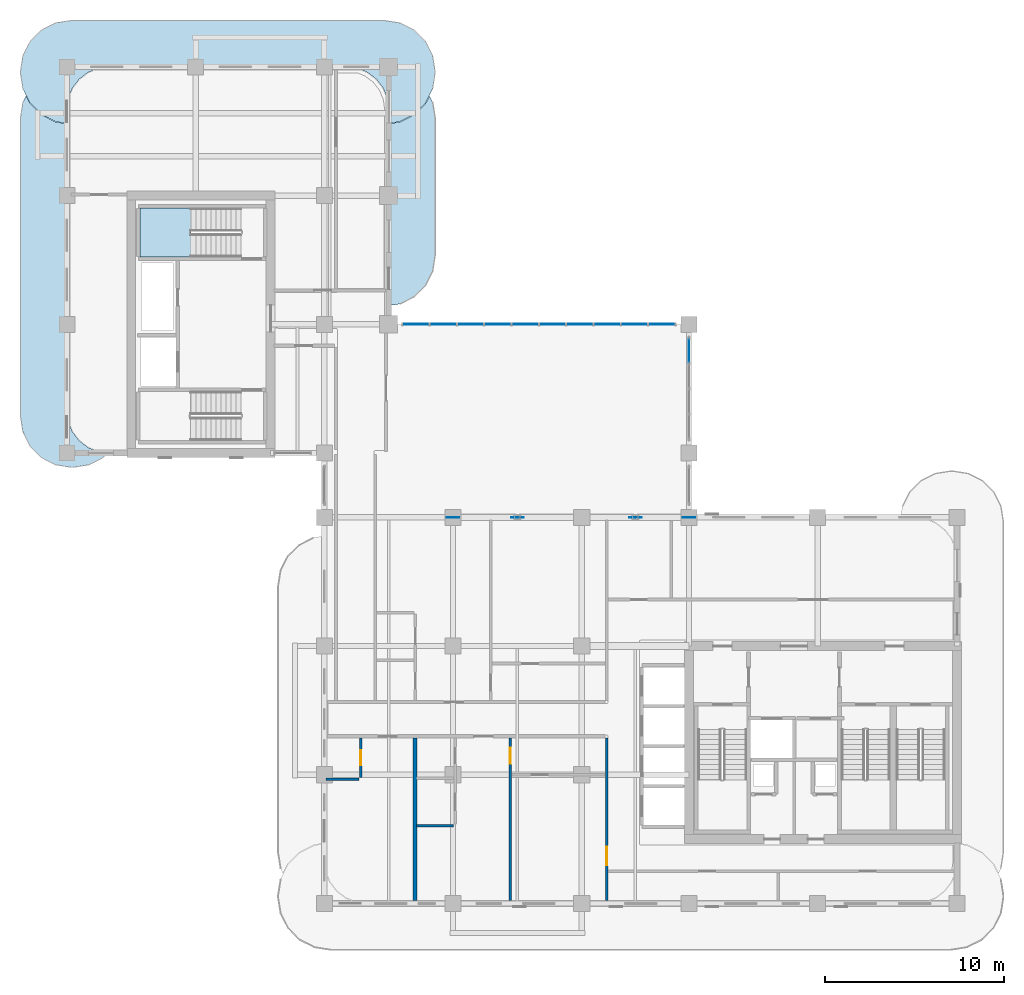
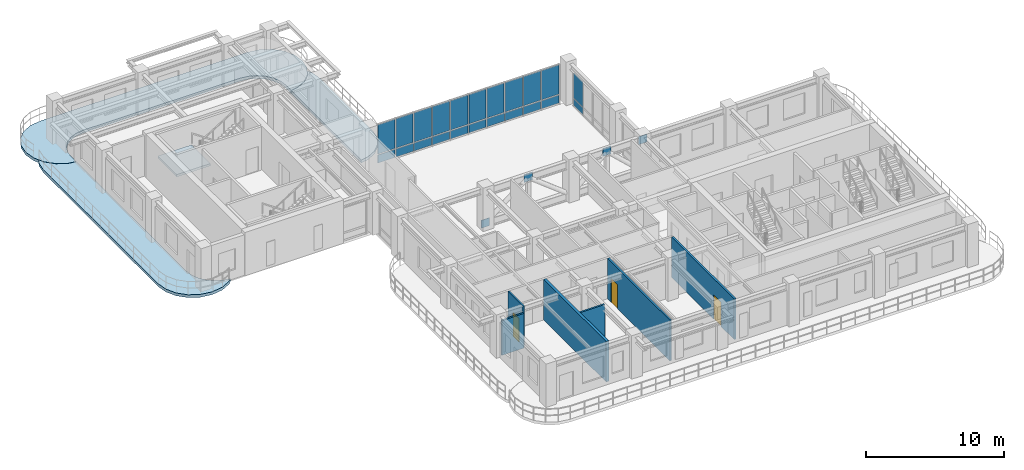
# One storey, part 9 of 19: 26 plates, 6 walls, 4 slabs, 3 doors, 3 openings, 3 elements without a shape of their own.
"""IFC4 building model written with IfcOpenShell, lengths in metres."""

from ifc_helpers import new_model, si_unit, derived_unit, direction, frame, frame_2d, origin, origin_2d, place, context, subcontext, project, spatial, polyline, rectangle, outline, extrude, source, transform, mapped, material, layer, layer_set, type_object, type_shapes, element, fill, aggregate, save


model = new_model("IFC4")

# Units and contexts
model_context = context("Model", 3, precision=1e-05, world=origin(), true_north=direction((0.0, 1.0)))
body_context = subcontext(model_context, "Body", "Model", "MODEL_VIEW")
ifc_project = project(units=[si_unit("LENGTHUNIT", "METRE"), si_unit("AREAUNIT", "SQUARE_METRE"), si_unit("VOLUMEUNIT", "CUBIC_METRE"), si_unit("PLANEANGLEUNIT", "RADIAN"), si_unit("MASSUNIT", "GRAM", prefix="KILO"), si_unit("THERMODYNAMICTEMPERATUREUNIT", "KELVIN"), si_unit("POWERUNIT", "WATT"), derived_unit("THERMALTRANSMITTANCEUNIT", [(si_unit("POWERUNIT", "WATT"), 1), (si_unit("AREAUNIT", "SQUARE_METRE"), -1), (si_unit("THERMODYNAMICTEMPERATUREUNIT", "KELVIN"), -1)])], contexts=[model_context])

# Site, building, storey
site_placement = place(None, origin())
site = spatial("IfcSite", under=ifc_project, at=site_placement, CompositionType="ELEMENT")
building_placement = place(site_placement, origin())
building = spatial("IfcBuilding", under=site, at=building_placement, Name="Zahravan Archway Hotel and Residences", CompositionType="ELEMENT")
storey_placement = place(building_placement, frame((0.0, 0.0, 201.89990234375)))
storey = spatial("IfcBuildingStorey", under=building, at=storey_placement, Name="L50", CompositionType="ELEMENT", Elevation=201.89990234375)

# Slabs
ifc_material_1 = material(Name="Concrete C45/55", Category="concrete")
ifc_layer_1 = layer(ifc_material_1, 0.25, Name="Concrete C45/55", Category="concrete")
ifc_layer_set_1 = layer_set([ifc_layer_1], Name="Concrete C45/55")
slab_type_1 = type_object("IfcSlabType", Name="SLB-BALC-250", PredefinedType="FLOOR", material=ifc_layer_set_1)
slab_1_placement = place(storey_placement, frame((0.0, 0.0, -0.25)))
element("IfcSlab", 1, at=slab_1_placement, inside=storey, type_object=slab_type_1, Name="L50 Wing B North Rounded Balcony Band", PredefinedType="FLOOR", context=body_context, shape_type="SweptSolid", body=[
    extrude(outline(polyline([(-0.630615234375, 43.739501953125), (-1.42529296875, 44.144287109375), (-2.0556640625, 44.77490234375), (-2.46044921875, 45.5693359375), (-2.60009765625, 46.449951171875), (-2.60009765625, 46.550048828125), (-2.46044921875, 47.4306640625), (-2.0556640625, 48.22509765625), (-1.42529296875, 48.855712890625), (-0.630615234375, 49.260498046875), (0.25, 49.39990234375), (17.75, 49.39990234375), (18.630615234375, 49.260498046875), (19.42529296875, 48.855712890625), (20.0556640625, 48.22509765625), (20.46044921875, 47.4306640625), (20.60009765625, 46.550048828125), (20.60009765625, 46.449951171875), (20.46044921875, 45.5693359375), (20.0556640625, 44.77490234375), (19.42529296875, 44.144287109375), (18.630615234375, 43.739501953125), (18.02001953125, 43.642822265625), (18.02001953125, 44.39990234375), (18.019775390625, 44.402587890625), (17.93798828125, 45.023681640625), (17.937744140625, 45.025390625), (17.937255859375, 45.027099609375), (17.936767578125, 45.02880859375), (17.697021484375, 45.607666015625), (17.6962890625, 45.609130859375), (17.6953125, 45.610595703125), (17.6943359375, 45.6123046875), (17.31298828125, 46.109375), (17.311767578125, 46.110595703125), (17.310546875, 46.11181640625), (17.309326171875, 46.113037109375), (16.812255859375, 46.494384765625), (16.810791015625, 46.495361328125), (16.80908203125, 46.49609375), (16.8076171875, 46.4970703125), (16.22900390625, 46.73681640625), (16.227294921875, 46.7373046875), (16.2255859375, 46.73779296875), (16.223876953125, 46.738037109375), (15.6025390625, 46.81982421875), (15.60009765625, 46.820068359375), (2.39990234375, 46.820068359375), (2.3974609375, 46.81982421875), (1.776123046875, 46.738037109375), (1.7744140625, 46.73779296875), (1.772705078125, 46.7373046875), (1.77099609375, 46.73681640625), (1.1923828125, 46.4970703125), (1.19091796875, 46.49609375), (1.189208984375, 46.495361328125), (1.187744140625, 46.494384765625), (0.690673828125, 46.113037109375), (0.689453125, 46.11181640625), (0.688232421875, 46.110595703125), (0.68701171875, 46.109375), (0.3056640625, 45.6123046875), (0.3046875, 45.610595703125), (0.3037109375, 45.609130859375), (0.302978515625, 45.607666015625), (0.063232421875, 45.02880859375), (0.062744140625, 45.027099609375), (0.062255859375, 45.025390625), (0.06201171875, 45.023681640625), (-0.019775390625, 44.402587890625), (-0.02001953125, 44.39990234375), (-0.02001953125, 43.642822265625), (-0.630615234375, 43.739501953125)])), origin(), (0.0, 0.0, 1.0), 0.25),
])
slab_2_placement = place(storey_placement, frame((0.0, 0.0, -0.25)))
element("IfcSlab", 2, at=slab_2_placement, inside=storey, type_object=slab_type_1, Name="L50 Wing B West Rounded Balcony Band", PredefinedType="FLOOR", context=body_context, shape_type="SweptSolid", body=[
    extrude(outline(polyline([(2.025146484375, 24.9443359375), (1.230712890625, 24.53955078125), (0.35009765625, 24.39990234375), (0.25, 24.39990234375), (-0.630615234375, 24.53955078125), (-1.42529296875, 24.9443359375), (-2.0556640625, 25.57470703125), (-2.46044921875, 26.369384765625), (-2.60009765625, 27.25), (-2.60009765625, 43.949951171875), (-2.46044921875, 44.830810546875), (-2.28369140625, 45.177978515625), (-2.073486328125, 44.765625), (-2.072509765625, 44.763916015625), (-2.0712890625, 44.76220703125), (-2.06982421875, 44.7607421875), (-1.439208984375, 44.130126953125), (-1.437744140625, 44.12890625), (-1.43603515625, 44.12744140625), (-1.434326171875, 44.12646484375), (-0.639892578125, 43.7216796875), (-0.637939453125, 43.720703125), (-0.635986328125, 43.72021484375), (-0.6337890625, 43.7197265625), (-0.023193359375, 43.623046875), (-0.021240234375, 43.622802734375), (-0.02001953125, 43.622802734375), (-0.02001953125, 27.60009765625), (-0.019775390625, 27.597412109375), (0.06201171875, 26.976318359375), (0.062255859375, 26.974609375), (0.062744140625, 26.972900390625), (0.063232421875, 26.97119140625), (0.302978515625, 26.392333984375), (0.3037109375, 26.390869140625), (0.3046875, 26.389404296875), (0.3056640625, 26.3876953125), (0.68701171875, 25.890625), (0.688232421875, 25.889404296875), (0.689453125, 25.88818359375), (0.690673828125, 25.886962890625), (1.187744140625, 25.505615234375), (1.189208984375, 25.504638671875), (1.19091796875, 25.50390625), (1.1923828125, 25.5029296875), (1.77099609375, 25.26318359375), (1.772705078125, 25.2626953125), (1.7744140625, 25.26220703125), (1.776123046875, 25.261962890625), (2.27685546875, 25.196044921875), (2.025146484375, 24.9443359375)])), origin(), (0.0, 0.0, 1.0), 0.25),
])
slab_3_placement = place(storey_placement, frame((0.0, 0.0, -0.25)))
element("IfcSlab", 3, at=slab_3_placement, inside=storey, type_object=slab_type_1, Name="L50 Wing B East Rounded Balcony Band", PredefinedType="FLOOR", context=body_context, shape_type="SweptSolid", body=[
    extrude(outline(polyline([(20.46044921875, 44.830810546875), (20.60009765625, 43.949951171875), (20.60009765625, 36.25), (20.46044921875, 35.369384765625), (20.0556640625, 34.57470703125), (19.42529296875, 33.9443359375), (18.630615234375, 33.53955078125), (18.02001953125, 33.44287109375), (18.02001953125, 43.622802734375), (18.021240234375, 43.622802734375), (18.023193359375, 43.623046875), (18.6337890625, 43.7197265625), (18.635986328125, 43.72021484375), (18.637939453125, 43.720703125), (18.639892578125, 43.7216796875), (19.434326171875, 44.12646484375), (19.43603515625, 44.12744140625), (19.437744140625, 44.12890625), (19.439208984375, 44.130126953125), (20.06982421875, 44.7607421875), (20.0712890625, 44.76220703125), (20.072509765625, 44.763916015625), (20.073486328125, 44.765625), (20.28369140625, 45.177978515625), (20.46044921875, 44.830810546875)])), origin(), (0.0, 0.0, 1.0), 0.25),
])

# Stair, slab
ifc_material_2 = material(Name="Concrete C50/60", Category="concrete")
stair_type = type_object("IfcStairType", Name="STR-CORE-1300", PredefinedType="HALF_TURN_STAIR", material=ifc_material_2)
stair_placement = place(storey_placement, origin())
stair = element("IfcStair", 4, at=stair_placement, inside=storey, type_object=stair_type, Name="L50 Core B Exit Stair 2", PredefinedType="HALF_TURN_STAIR")
ifc_layer_2 = layer(ifc_material_2, 0.199951171875, Name="Concrete C50/60", Category="concrete")
ifc_layer_set_2 = layer_set([ifc_layer_2], Name="Concrete C50/60")
slab_type_2 = type_object("IfcSlabType", Name="SLB-LND-200", PredefinedType="LANDING", material=ifc_layer_set_2)
slab_4_placement = place(storey_placement, frame((0.0, 0.0, 1.72509765625)))
slab_4 = element("IfcSlab", 5, at=slab_4_placement, type_object=slab_type_2, Name="ST-B2 landing 1", PredefinedType="LANDING", context=body_context, shape_type="SweptSolid", body=[
    extrude(outline(polyline([(6.929931640625, 38.89990234375), (4.10009765625, 38.89990234375), (4.10009765625, 36.159912109375), (6.929931640625, 36.159912109375), (6.929931640625, 38.89990234375)])), origin(), (0.0, 0.0, 1.0), 0.199951171875),
])
aggregate(stair, [slab_4])

# Plates
ifc_material_3 = material(Name="Structural Steel S355J2", Category="steel")
ifc_layer_3 = layer(ifc_material_3, 0.030029296875, Name="Structural Steel S355J2", Category="steel")
ifc_layer_set_3 = layer_set([ifc_layer_3], Name="Structural Steel S355J2")
plate_type_1 = type_object("IfcPlateType", Name="PLT-GUS-BTN1", PredefinedType="USERDEFINED", material=ifc_layer_set_3)
shared_shape_1 = source(origin(), body_context, "Body", "SweptSolid", [
    extrude(rectangle(XDim=0.699951171875, YDim=0.030029296875, at=origin_2d()), origin(), (0.0, 0.0, 1.0), 0.699951171875),
])
type_shapes(plate_type_1, [shared_shape_1])
for number, where, z_axis, x_axis, name in (
    (6, (21.60009765625, 21.60009765625, 0.0), (0.0, 0.0, 1.0), (1.0, 0.0, 0.0), "L50 Sky-Bridge End Gusset Plate BTN1-W"),
    (7, (34.800048828125, 21.60009765625, 2.80029296875), (0.0, 0.0, 1.0), (1.0, 0.0, 0.0), "L50 Sky-Bridge End Gusset Plate BTN1-E"),
    (8, (25.199951171875, 21.60009765625, 2.80029296875), (0.0, 0.0, 1.0), (1.0, 0.0, 0.0), "L50 Sky-Bridge Gusset Plate BTN1-1"),
    (9, (31.800048828125, 21.60009765625, 2.80029296875), (0.0, 0.0, 1.0), (1.0, 0.0, 0.0), "L50 Sky-Bridge Gusset Plate BTN1-3"),
):
    element("IfcPlate", number, at=place(storey_placement, frame(where, z_axis=z_axis, x_axis=x_axis)), inside=storey, type_object=plate_type_1, Name=name, ObjectType="GUSSET", PredefinedType="USERDEFINED", context=body_context, shape_type="MappedRepresentation", body=[
        mapped(shared_shape_1, transform((0.0, 0.0, 0.0), scale=1.0)),
    ])

# Curtain wall, plates
ifc_material_4 = material(Name="Bronze-Anodized Unitised Aluminium & Low-E Glass", Category="aluminium")
ifc_layer_4 = layer(ifc_material_4, 0.179931640625, Name="Bronze-Anodized Unitised Aluminium & Low-E Glass", Category="aluminium")
ifc_layer_set_4 = layer_set([ifc_layer_4], Name="Bronze-Anodized Unitised Aluminium & Low-E Glass")
curtain_wall_type = type_object("IfcCurtainWallType", Name="CW-SBG-2", PredefinedType="NOTDEFINED", material=ifc_layer_set_4)
curtain_wall_1_placement = place(storey_placement, origin())
curtain_wall_1 = element("IfcCurtainWall", 10, at=curtain_wall_1_placement, inside=storey, type_object=curtain_wall_type, Name="L50 Curtain Wall CW-L50-HNG-N-1", PredefinedType="NOTDEFINED")
ifc_material_5 = material(Name="Insulated Terracotta Spandrel Panel", Category="masonry")
ifc_layer_5 = layer(ifc_material_5, 0.0400390625, Name="Insulated Terracotta Spandrel Panel", Category="masonry")
ifc_layer_set_5 = layer_set([ifc_layer_5], Name="Insulated Terracotta Spandrel Panel")
plate_type_2 = type_object("IfcPlateType", Name="CWP-SPN-40", PredefinedType="SHEET", material=ifc_layer_set_5)
shared_shape_2 = source(origin(), body_context, "Body", "SweptSolid", [
    extrude(rectangle(XDim=1.447998046875, YDim=0.0400390625, at=origin_2d()), origin(), (0.0, 0.0, 1.0), 0.7099609375),
])
plate_1_placement = place(storey_placement, frame((19.52392578125, 32.39990234375, 0.10009765625), z_axis=(0.0, 0.0, 1.0), x_axis=(1.0, 0.0, 0.0)))
plate_1 = element("IfcPlate", 11, at=plate_1_placement, type_object=plate_type_2, Name="CW-L50-HNG-N-1 Spandrel Panel 0", PredefinedType="SHEET", context=body_context, shape_type="MappedRepresentation", body=[
    mapped(shared_shape_2, transform((0.0, 0.0, 0.0), scale=1.0)),
])
plate_2_placement = place(storey_placement, frame((21.052001953125, 32.39990234375, 0.10009765625), z_axis=(0.0, 0.0, 1.0), x_axis=(1.0, 0.0, 0.0)))
plate_2 = element("IfcPlate", 12, at=plate_2_placement, type_object=plate_type_2, Name="CW-L50-HNG-N-1 Spandrel Panel 1", PredefinedType="SHEET", context=body_context, shape_type="MappedRepresentation", body=[
    mapped(shared_shape_2, transform((0.0, 0.0, 0.0), scale=1.0)),
])
plate_3_placement = place(storey_placement, frame((22.580078125, 32.39990234375, 0.10009765625), z_axis=(0.0, 0.0, 1.0), x_axis=(1.0, 0.0, 0.0)))
plate_3 = element("IfcPlate", 13, at=plate_3_placement, type_object=plate_type_2, Name="CW-L50-HNG-N-1 Spandrel Panel 2", PredefinedType="SHEET", context=body_context, shape_type="MappedRepresentation", body=[
    mapped(shared_shape_2, transform((0.0, 0.0, 0.0), scale=1.0)),
])
plate_4_placement = place(storey_placement, frame((24.10791015625, 32.39990234375, 0.10009765625), z_axis=(0.0, 0.0, 1.0), x_axis=(1.0, 0.0, 0.0)))
plate_4 = element("IfcPlate", 14, at=plate_4_placement, type_object=plate_type_2, Name="CW-L50-HNG-N-1 Spandrel Panel 3", PredefinedType="SHEET", context=body_context, shape_type="MappedRepresentation", body=[
    mapped(shared_shape_2, transform((0.0, 0.0, 0.0), scale=1.0)),
])
plate_5_placement = place(storey_placement, frame((25.635986328125, 32.39990234375, 0.10009765625), z_axis=(0.0, 0.0, 1.0), x_axis=(1.0, 0.0, 0.0)))
plate_5 = element("IfcPlate", 15, at=plate_5_placement, type_object=plate_type_2, Name="CW-L50-HNG-N-1 Spandrel Panel 4", PredefinedType="SHEET", context=body_context, shape_type="MappedRepresentation", body=[
    mapped(shared_shape_2, transform((0.0, 0.0, 0.0), scale=1.0)),
])
plate_6_placement = place(storey_placement, frame((27.1640625, 32.39990234375, 0.10009765625), z_axis=(0.0, 0.0, 1.0), x_axis=(1.0, 0.0, 0.0)))
plate_6 = element("IfcPlate", 16, at=plate_6_placement, type_object=plate_type_2, Name="CW-L50-HNG-N-1 Spandrel Panel 5", PredefinedType="SHEET", context=body_context, shape_type="MappedRepresentation", body=[
    mapped(shared_shape_2, transform((0.0, 0.0, 0.0), scale=1.0)),
])
plate_7_placement = place(storey_placement, frame((28.69189453125, 32.39990234375, 0.10009765625), z_axis=(0.0, 0.0, 1.0), x_axis=(1.0, 0.0, 0.0)))
plate_7 = element("IfcPlate", 17, at=plate_7_placement, type_object=plate_type_2, Name="CW-L50-HNG-N-1 Spandrel Panel 6", PredefinedType="SHEET", context=body_context, shape_type="MappedRepresentation", body=[
    mapped(shared_shape_2, transform((0.0, 0.0, 0.0), scale=1.0)),
])
plate_8_placement = place(storey_placement, frame((30.219970703125, 32.39990234375, 0.10009765625), z_axis=(0.0, 0.0, 1.0), x_axis=(1.0, 0.0, 0.0)))
plate_8 = element("IfcPlate", 18, at=plate_8_placement, type_object=plate_type_2, Name="CW-L50-HNG-N-1 Spandrel Panel 7", PredefinedType="SHEET", context=body_context, shape_type="MappedRepresentation", body=[
    mapped(shared_shape_2, transform((0.0, 0.0, 0.0), scale=1.0)),
])
plate_9_placement = place(storey_placement, frame((31.748046875, 32.39990234375, 0.10009765625), z_axis=(0.0, 0.0, 1.0), x_axis=(1.0, 0.0, 0.0)))
plate_9 = element("IfcPlate", 19, at=plate_9_placement, type_object=plate_type_2, Name="CW-L50-HNG-N-1 Spandrel Panel 8", PredefinedType="SHEET", context=body_context, shape_type="MappedRepresentation", body=[
    mapped(shared_shape_2, transform((0.0, 0.0, 0.0), scale=1.0)),
])
plate_10_placement = place(storey_placement, frame((33.27587890625, 32.39990234375, 0.10009765625), z_axis=(0.0, 0.0, 1.0), x_axis=(1.0, 0.0, 0.0)))
plate_10 = element("IfcPlate", 20, at=plate_10_placement, type_object=plate_type_2, Name="CW-L50-HNG-N-1 Spandrel Panel 9", PredefinedType="SHEET", context=body_context, shape_type="MappedRepresentation", body=[
    mapped(shared_shape_2, transform((0.0, 0.0, 0.0), scale=1.0)),
])

curtain_wall_2_placement = place(storey_placement, origin())
curtain_wall_2 = element("IfcCurtainWall", 21, at=curtain_wall_2_placement, inside=storey, type_object=curtain_wall_type, Name="L50 Curtain Wall CW-L50-HNG-E-2", PredefinedType="NOTDEFINED")
shared_shape_3 = source(origin(), body_context, "Body", "SweptSolid", [
    extrude(rectangle(XDim=1.340087890625, YDim=0.0400390625, at=origin_2d()), origin(), (0.0, 0.0, 1.0), 0.600341796875),
])
plate_11_placement = place(storey_placement, frame((34.800048828125, 30.929931640625, 0.10009765625), z_axis=(0.0, 0.0, 1.0), x_axis=(0.0, 1.0, 0.0)))
plate_11 = element("IfcPlate", 22, at=plate_11_placement, type_object=plate_type_2, Name="CW-L50-HNG-E-2 Spandrel Panel 3", PredefinedType="SHEET", context=body_context, shape_type="MappedRepresentation", body=[
    mapped(shared_shape_3, transform((0.0, 0.0, 0.0), scale=1.0)),
])
ifc_material_6 = material(Name="Double-Silver Low-E Insulated Vision Glass", Category="glass")
ifc_layer_6 = layer(ifc_material_6, 0.028076171875, Name="Double-Silver Low-E Insulated Vision Glass", Category="glass")
ifc_layer_set_6 = layer_set([ifc_layer_6], Name="Double-Silver Low-E Insulated Vision Glass")
plate_type_3 = type_object("IfcPlateType", Name="CWP-GLZ-28", PredefinedType="CURTAIN_PANEL", material=ifc_layer_set_6)
shared_shape_4 = source(origin(), body_context, "Body", "SweptSolid", [
    extrude(rectangle(XDim=1.340087890625, YDim=0.028076171875, at=origin_2d()), origin(), (0.0, 0.0, 1.0), 2.20458984375),
])
plate_12_placement = place(storey_placement, frame((34.800048828125, 30.929931640625, 0.780517578125), z_axis=(0.0, 0.0, 1.0), x_axis=(0.0, 1.0, 0.0)))
plate_12 = element("IfcPlate", 23, at=plate_12_placement, type_object=plate_type_3, Name="CW-L50-HNG-E-2 Low-E Vision Panel 3", PredefinedType="CURTAIN_PANEL", context=body_context, shape_type="MappedRepresentation", body=[
    mapped(shared_shape_4, transform((0.0, 0.0, 0.0), scale=1.0)),
])
aggregate(curtain_wall_2, [plate_11, plate_12])

# Plate
shared_shape_5 = source(origin(), body_context, "Body", "SweptSolid", [
    extrude(rectangle(XDim=1.447998046875, YDim=0.028076171875, at=origin_2d()), origin(), (0.0, 0.0, 1.0), 2.610107421875),
])
plate_13_placement = place(storey_placement, frame((19.52392578125, 32.39990234375, 0.89013671875), z_axis=(0.0, 0.0, 1.0), x_axis=(1.0, 0.0, 0.0)))
plate_13 = element("IfcPlate", 24, at=plate_13_placement, type_object=plate_type_3, Name="CW-L50-HNG-N-1 Low-E Vision Panel 0", PredefinedType="CURTAIN_PANEL", context=body_context, shape_type="MappedRepresentation", body=[
    mapped(shared_shape_5, transform((0.0, 0.0, 0.0), scale=1.0)),
])

plate_14_placement = place(storey_placement, frame((21.052001953125, 32.39990234375, 0.89013671875), z_axis=(0.0, 0.0, 1.0), x_axis=(1.0, 0.0, 0.0)))
plate_14 = element("IfcPlate", 25, at=plate_14_placement, type_object=plate_type_3, Name="CW-L50-HNG-N-1 Low-E Vision Panel 1", PredefinedType="CURTAIN_PANEL", context=body_context, shape_type="MappedRepresentation", body=[
    mapped(shared_shape_5, transform((0.0, 0.0, 0.0), scale=1.0)),
])

plate_15_placement = place(storey_placement, frame((22.580078125, 32.39990234375, 0.89013671875), z_axis=(0.0, 0.0, 1.0), x_axis=(1.0, 0.0, 0.0)))
plate_15 = element("IfcPlate", 26, at=plate_15_placement, type_object=plate_type_3, Name="CW-L50-HNG-N-1 Low-E Vision Panel 2", PredefinedType="CURTAIN_PANEL", context=body_context, shape_type="MappedRepresentation", body=[
    mapped(shared_shape_5, transform((0.0, 0.0, 0.0), scale=1.0)),
])

plate_16_placement = place(storey_placement, frame((24.10791015625, 32.39990234375, 0.89013671875), z_axis=(0.0, 0.0, 1.0), x_axis=(1.0, 0.0, 0.0)))
plate_16 = element("IfcPlate", 27, at=plate_16_placement, type_object=plate_type_3, Name="CW-L50-HNG-N-1 Low-E Vision Panel 3", PredefinedType="CURTAIN_PANEL", context=body_context, shape_type="MappedRepresentation", body=[
    mapped(shared_shape_5, transform((0.0, 0.0, 0.0), scale=1.0)),
])

plate_17_placement = place(storey_placement, frame((25.635986328125, 32.39990234375, 0.89013671875), z_axis=(0.0, 0.0, 1.0), x_axis=(1.0, 0.0, 0.0)))
plate_17 = element("IfcPlate", 28, at=plate_17_placement, type_object=plate_type_3, Name="CW-L50-HNG-N-1 Low-E Vision Panel 4", PredefinedType="CURTAIN_PANEL", context=body_context, shape_type="MappedRepresentation", body=[
    mapped(shared_shape_5, transform((0.0, 0.0, 0.0), scale=1.0)),
])

plate_18_placement = place(storey_placement, frame((27.1640625, 32.39990234375, 0.89013671875), z_axis=(0.0, 0.0, 1.0), x_axis=(1.0, 0.0, 0.0)))
plate_18 = element("IfcPlate", 29, at=plate_18_placement, type_object=plate_type_3, Name="CW-L50-HNG-N-1 Low-E Vision Panel 5", PredefinedType="CURTAIN_PANEL", context=body_context, shape_type="MappedRepresentation", body=[
    mapped(shared_shape_5, transform((0.0, 0.0, 0.0), scale=1.0)),
])

plate_19_placement = place(storey_placement, frame((28.69189453125, 32.39990234375, 0.89013671875), z_axis=(0.0, 0.0, 1.0), x_axis=(1.0, 0.0, 0.0)))
plate_19 = element("IfcPlate", 30, at=plate_19_placement, type_object=plate_type_3, Name="CW-L50-HNG-N-1 Low-E Vision Panel 6", PredefinedType="CURTAIN_PANEL", context=body_context, shape_type="MappedRepresentation", body=[
    mapped(shared_shape_5, transform((0.0, 0.0, 0.0), scale=1.0)),
])

plate_20_placement = place(storey_placement, frame((30.219970703125, 32.39990234375, 0.89013671875), z_axis=(0.0, 0.0, 1.0), x_axis=(1.0, 0.0, 0.0)))
plate_20 = element("IfcPlate", 31, at=plate_20_placement, type_object=plate_type_3, Name="CW-L50-HNG-N-1 Low-E Vision Panel 7", PredefinedType="CURTAIN_PANEL", context=body_context, shape_type="MappedRepresentation", body=[
    mapped(shared_shape_5, transform((0.0, 0.0, 0.0), scale=1.0)),
])

plate_21_placement = place(storey_placement, frame((31.748046875, 32.39990234375, 0.89013671875), z_axis=(0.0, 0.0, 1.0), x_axis=(1.0, 0.0, 0.0)))
plate_21 = element("IfcPlate", 32, at=plate_21_placement, type_object=plate_type_3, Name="CW-L50-HNG-N-1 Low-E Vision Panel 8", PredefinedType="CURTAIN_PANEL", context=body_context, shape_type="MappedRepresentation", body=[
    mapped(shared_shape_5, transform((0.0, 0.0, 0.0), scale=1.0)),
])

plate_22_placement = place(storey_placement, frame((33.27587890625, 32.39990234375, 0.89013671875), z_axis=(0.0, 0.0, 1.0), x_axis=(1.0, 0.0, 0.0)))
plate_22 = element("IfcPlate", 33, at=plate_22_placement, type_object=plate_type_3, Name="CW-L50-HNG-N-1 Low-E Vision Panel 9", PredefinedType="CURTAIN_PANEL", context=body_context, shape_type="MappedRepresentation", body=[
    mapped(shared_shape_5, transform((0.0, 0.0, 0.0), scale=1.0)),
])

aggregate(curtain_wall_1, [plate_1, plate_13, plate_2, plate_14, plate_3, plate_15, plate_4, plate_16, plate_5, plate_17, plate_6, plate_18, plate_7, plate_19, plate_8, plate_20, plate_9, plate_21, plate_10, plate_22])

# Wall
ifc_material_7 = material(Name="Fire-Rated Gypsum & Concrete Block", Category="concrete")
ifc_layer_7 = layer(ifc_material_7, 0.219970703125, Name="Fire-Rated Gypsum & Concrete Block", Category="concrete")
ifc_layer_set_7 = layer_set([ifc_layer_7], Name="Fire-Rated Gypsum & Concrete Block")
wall_type_1 = type_object("IfcWallType", Name="PW-COMP-220", PredefinedType="PARTITIONING", material=ifc_layer_set_7)
wall_1_placement = place(storey_placement, frame((19.47998046875, 0.16796875, 0.0), z_axis=(0.0, 0.0, 1.0), x_axis=(0.0, 1.0, 0.0)))
element("IfcWall", 34, at=wall_1_placement, inside=storey, type_object=wall_type_1, Name="L50 Partition WAS-R4", PredefinedType="PARTITIONING", context=body_context, shape_type="SweptSolid", body=[
    extrude(rectangle(XDim=9.092041015625, YDim=0.219970703125, at=frame_2d((4.5458984375, 0.0))), origin(), (0.0, 0.0, 1.0), 3.60009765625),
])

# Wall, opening, door
ifc_layer_8 = layer(ifc_material_7, 0.159912109375, Name="Fire-Rated Gypsum & Concrete Block", Category="concrete")
ifc_layer_set_8 = layer_set([ifc_layer_8], Name="Fire-Rated Gypsum & Concrete Block")
wall_type_2 = type_object("IfcWallType", Name="PW-CORR-160", PredefinedType="PARTITIONING", material=ifc_layer_set_8)
wall_2_placement = place(storey_placement, frame((30.199951171875, 0.16796875, 0.0), z_axis=(0.0, 0.0, 1.0), x_axis=(0.0, 1.0, 0.0)))
wall_2 = element("IfcWall", 35, at=wall_2_placement, inside=storey, type_object=wall_type_2, Name="L50 Partition WA-SRW", PredefinedType="PARTITIONING", context=body_context, shape_type="SweptSolid", body=[
    extrude(rectangle(XDim=9.092041015625, YDim=0.159912109375, at=frame_2d((4.5458984375, 0.0))), origin(), (0.0, 0.0, 1.0), 3.60009765625),
])
opening_1_placement = place(wall_2_placement, frame((1.95703125, 0.0, 0.0)))
opening_1 = element("IfcOpeningElement", 36, at=opening_1_placement, cuts=wall_2, Name="Opening FD-L2", PredefinedType="OPENING", context=body_context, shape_type="SweptSolid", body=[
    extrude(rectangle(XDim=1.050048828125, YDim=2.14990234375, at=frame_2d((0.52490234375, 1.074951171875))), frame((0.0, 0.08984375, 0.0), z_axis=(0.0, -1.0, 0.0), x_axis=(1.0, 0.0, 0.0)), (0.0, 0.0, 1.0), 0.179931640625),
])
ifc_material_8 = material(Name="Fire-Rated Painted Steel", Category="steel")
door_type_1 = type_object("IfcDoorType", Name="FD-LOBBY-1100", OperationType="NOTDEFINED", PredefinedType="DOOR", material=ifc_material_8)
shared_shape_6 = source(origin(), body_context, "Body", "SweptSolid", [
    extrude(rectangle(XDim=1.050048828125, YDim=2.14990234375, at=frame_2d((0.52490234375, 1.074951171875))), frame((0.0, 0.02490234375, 0.0), z_axis=(0.0, -1.0, 0.0), x_axis=(1.0, 0.0, 0.0)), (0.0, 0.0, 1.0), 0.050048828125),
])
type_shapes(door_type_1, [shared_shape_6])
door_1_placement = place(opening_1_placement, origin())
door_1 = element("IfcDoor", 37, at=door_1_placement, inside=storey, type_object=door_type_1, Name="L50 South Riser Corridor Door", OperationType="SINGLE_SWING_RIGHT", OverallHeight=2.14990234375, OverallWidth=1.050048828125, PredefinedType="DOOR", context=body_context, shape_type="MappedRepresentation", body=[
    mapped(shared_shape_6, transform((0.0, 0.0, 0.0), scale=1.0)),
])
fill(opening_1, door_1)

ifc_material_9 = material(Name="Acoustic Stud Partition")
ifc_layer_9 = layer(ifc_material_9, 0.14990234375, Name="Acoustic Stud Partition")
ifc_layer_set_9 = layer_set([ifc_layer_9], Name="Acoustic Stud Partition")
wall_type_3 = type_object("IfcWallType", Name="PW-UNIT-150", PredefinedType="PARTITIONING", material=ifc_layer_set_9)
wall_3_placement = place(storey_placement, frame((24.800048828125, 0.16796875, 0.0), z_axis=(0.0, 0.0, 1.0), x_axis=(0.0, 1.0, 0.0)))
wall_3 = element("IfcWall", 38, at=wall_3_placement, inside=storey, type_object=wall_type_3, Name="L50 Partition FL-S1-SP", PredefinedType="PARTITIONING", context=body_context, shape_type="SweptSolid", body=[
    extrude(rectangle(XDim=9.092041015625, YDim=0.14990234375, at=frame_2d((4.5458984375, 0.0))), origin(), (0.0, 0.0, 1.0), 3.60009765625),
])
opening_2_placement = place(wall_3_placement, frame((7.656982421875, 0.0, 0.0)))
opening_2 = element("IfcOpeningElement", 39, at=opening_2_placement, cuts=wall_3, Name="Opening D-I2", PredefinedType="OPENING", context=body_context, shape_type="SweptSolid", body=[
    extrude(rectangle(XDim=0.89990234375, YDim=2.14990234375, at=frame_2d((0.449951171875, 1.074951171875))), frame((0.0, 0.0849609375, 0.0), z_axis=(0.0, -1.0, 0.0), x_axis=(1.0, 0.0, 0.0)), (0.0, 0.0, 1.0), 0.169921875),
])
ifc_material_10 = material(Name="Hardwood Veneer Timber", Category="wood")
door_type_2 = type_object("IfcDoorType", Name="ID-INT-900", OperationType="NOTDEFINED", PredefinedType="DOOR", material=ifc_material_10)
shared_shape_7 = source(origin(), body_context, "Body", "SweptSolid", [
    extrude(rectangle(XDim=0.89990234375, YDim=2.14990234375, at=frame_2d((0.449951171875, 1.074951171875))), frame((0.0, 0.02490234375, 0.0), z_axis=(0.0, -1.0, 0.0), x_axis=(1.0, 0.0, 0.0)), (0.0, 0.0, 1.0), 0.050048828125),
])
type_shapes(door_type_2, [shared_shape_7])
door_2_placement = place(opening_2_placement, origin())
door_2 = element("IfcDoor", 40, at=door_2_placement, inside=storey, type_object=door_type_2, Name="L50 Flat S1 Bedroom Hall Door", OperationType="SINGLE_SWING_LEFT", OverallHeight=2.14990234375, OverallWidth=0.89990234375, PredefinedType="DOOR", context=body_context, shape_type="MappedRepresentation", body=[
    mapped(shared_shape_7, transform((0.0, 0.0, 0.0), scale=1.0)),
])
fill(opening_2, door_2)

ifc_material_11 = material(Name="Moisture-Resistant Blockwork", Category="masonry")
ifc_layer_10 = layer(ifc_material_11, 0.139892578125, Name="Moisture-Resistant Blockwork", Category="masonry")
ifc_layer_set_10 = layer_set([ifc_layer_10], Name="Moisture-Resistant Blockwork")
wall_type_4 = type_object("IfcWallType", Name="PW-WET-140", PredefinedType="PARTITIONING", material=ifc_layer_set_10)
wall_4_placement = place(storey_placement, frame((16.431884765625, 7.0400390625, 0.0), z_axis=(0.0, 0.0, 1.0), x_axis=(0.0, 1.0, 0.0)))
wall_4 = element("IfcWall", 41, at=wall_4_placement, inside=storey, type_object=wall_type_4, Name="L50 Partition HKB-V91", PredefinedType="PARTITIONING", context=body_context, shape_type="SweptSolid", body=[
    extrude(rectangle(XDim=2.219970703125, YDim=0.139892578125, at=frame_2d((1.10986328125, 0.0))), origin(), (0.0, 0.0, 1.0), 3.60009765625),
])
opening_3_placement = place(wall_4_placement, frame((0.68505859375, 0.0, 0.0)))
opening_3 = element("IfcOpeningElement", 42, at=opening_3_placement, cuts=wall_4, Name="Opening D-B1", PredefinedType="OPENING", context=body_context, shape_type="SweptSolid", body=[
    extrude(rectangle(XDim=0.85009765625, YDim=2.10009765625, at=frame_2d((0.425048828125, 1.050048828125))), frame((0.0, 0.080078125, 0.0), z_axis=(0.0, -1.0, 0.0), x_axis=(1.0, 0.0, 0.0)), (0.0, 0.0, 1.0), 0.159912109375),
])
door_type_3 = type_object("IfcDoorType", Name="ID-BATH-850", OperationType="NOTDEFINED", PredefinedType="DOOR", material=ifc_material_10)
shared_shape_8 = source(origin(), body_context, "Body", "SweptSolid", [
    extrude(rectangle(XDim=0.85009765625, YDim=2.10009765625, at=frame_2d((0.425048828125, 1.050048828125))), frame((0.0, 0.02490234375, 0.0), z_axis=(0.0, -1.0, 0.0), x_axis=(1.0, 0.0, 0.0)), (0.0, 0.0, 1.0), 0.050048828125),
])
type_shapes(door_type_3, [shared_shape_8])
door_3_placement = place(opening_3_placement, origin())
door_3 = element("IfcDoor", 43, at=door_3_placement, inside=storey, type_object=door_type_3, Name="L50 Guestroom 91 En-Suite Door", OperationType="SINGLE_SWING_RIGHT", OverallHeight=2.10009765625, OverallWidth=0.85009765625, PredefinedType="DOOR", context=body_context, shape_type="MappedRepresentation", body=[
    mapped(shared_shape_8, transform((0.0, 0.0, 0.0), scale=1.0)),
])
fill(opening_3, door_3)

# Walls
wall_5_placement = place(storey_placement, frame((14.489990234375, 6.949951171875, 0.0), z_axis=(0.0, 0.0, 1.0), x_axis=(1.0, 0.0, 0.0)))
element("IfcWall", 44, at=wall_5_placement, inside=storey, type_object=wall_type_4, Name="L50 Partition HKB-H91", PredefinedType="PARTITIONING", context=body_context, shape_type="SweptSolid", body=[
    extrude(rectangle(XDim=1.85205078125, YDim=0.139892578125, at=frame_2d((0.926025390625, 0.0))), origin(), (0.0, 0.0, 1.0), 3.085205078125),
])
wall_6_placement = place(storey_placement, frame((19.570068359375, 4.35009765625, 0.0), z_axis=(0.0, 0.0, 1.0), x_axis=(1.0, 0.0, 0.0)))
element("IfcWall", 45, at=wall_6_placement, inside=storey, type_object=wall_type_4, Name="L50 Partition FL-S1-KH", PredefinedType="PARTITIONING", context=body_context, shape_type="SweptSolid", body=[
    extrude(rectangle(XDim=2.06982421875, YDim=0.139892578125, at=frame_2d((1.034912109375, 0.0))), origin(), (0.0, 0.0, 1.0), 3.60009765625),
])

save(model, "model.ifc")
